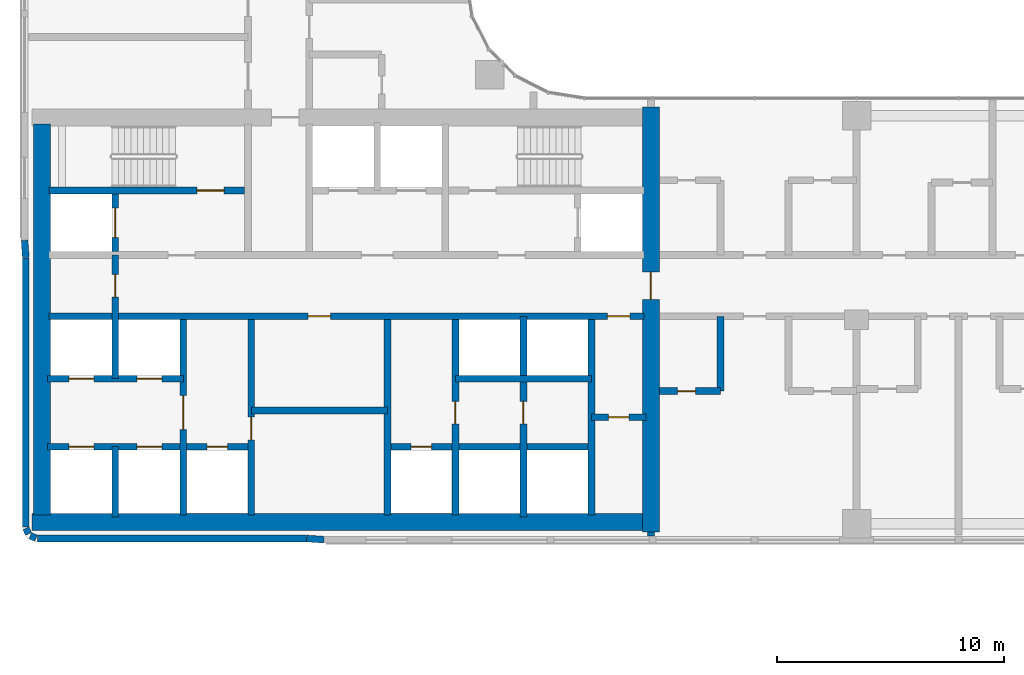
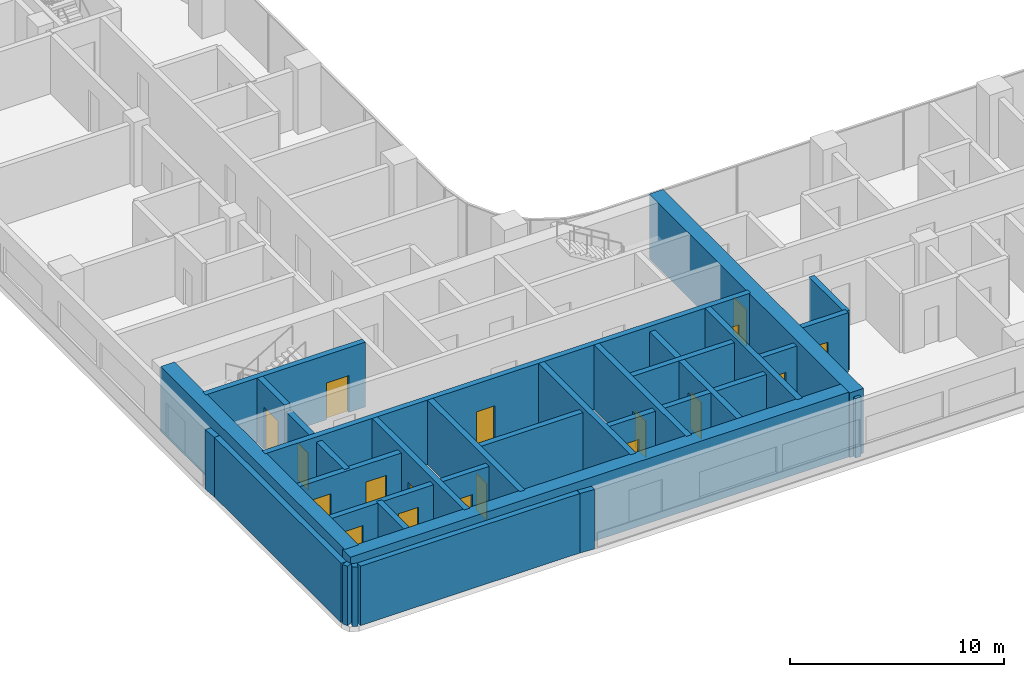
# One storey, part 17 of 35: 29 walls, 18 doors, 18 openings.
"""IFC4 building model written with IfcOpenShell, lengths in metres."""

from ifc_helpers import new_model, si_unit, direction, frame, frame_2d, origin, place, context, subcontext, project, spatial, rectangle, extrude, material, layer, layer_set, type_object, element, fill, save


model = new_model("IFC4")

# Units and contexts
model_context = context("Model", 3, precision=1e-05, world=origin(), true_north=direction((0.0, 1.0)))
body_context = subcontext(model_context, "Body", "Model", "MODEL_VIEW")
ifc_project = project(units=[si_unit("LENGTHUNIT", "METRE"), si_unit("AREAUNIT", "SQUARE_METRE"), si_unit("VOLUMEUNIT", "CUBIC_METRE"), si_unit("PLANEANGLEUNIT", "RADIAN"), si_unit("MASSUNIT", "GRAM", prefix="KILO")], contexts=[model_context])

# Site, building, storey
site_placement = place(None, origin())
site = spatial("IfcSite", under=ifc_project, at=site_placement, CompositionType="ELEMENT")
building_placement = place(site_placement, origin())
building = spatial("IfcBuilding", under=site, at=building_placement, Name="Ogive Portal Towers", CompositionType="ELEMENT")
storey_placement = place(building_placement, frame((0.0, 0.0, 94.5)))
storey = spatial("IfcBuildingStorey", under=building, at=storey_placement, Name="L22", CompositionType="ELEMENT", Elevation=94.5)

# Wall, opening, door
ifc_material_1 = material(Name="Concrete C60/75", Category="concrete")
ifc_layer_1 = layer(ifc_material_1, 0.300048828125)
ifc_layer_set_1 = layer_set([ifc_layer_1], Name="CORE WALL 300 C60")
wall_type_1 = type_object("IfcWallType", Name="CORE WALL 300 C60", PredefinedType="SHEAR", material=ifc_layer_set_1)
wall_1_placement = place(storey_placement, frame((37.800048828125, 21.875, 0.0), z_axis=(0.0, 0.0, 1.0), x_axis=(0.0, 1.0, 0.0)))
wall_1 = element("IfcWall", 1, at=wall_1_placement, inside=storey, type_object=wall_type_1, Name="Core wall X1 L22", PredefinedType="SHEAR", context=body_context, shape_type="SweptSolid", body=[
    extrude(rectangle(XDim=8.625, YDim=0.300048828125, at=frame_2d((4.3125, 0.0))), origin(), (0.0, 0.0, 1.0), 3.699951171875),
])
opening_1_placement = place(wall_1_placement, frame((3.77490234375, 0.0, 0.0)))
opening_1 = element("IfcOpeningElement", 2, at=opening_1_placement, cuts=wall_1, Name="Opening D07-001", PredefinedType="OPENING", context=body_context, shape_type="SweptSolid", body=[
    extrude(rectangle(XDim=1.5, YDim=2.10009765625, at=frame_2d((0.75, 1.050048828125))), frame((0.0, 0.16015625, 0.0), z_axis=(0.0, -1.0, 0.0), x_axis=(1.0, 0.0, 0.0)), (0.0, 0.0, 1.0), 0.320068359375),
])
ifc_material_2 = material(Name="Steel fire door", Category="steel")
door_type_1 = type_object("IfcDoorType", Name="DT-SWING-1500x2100-FD90S", OperationType="SINGLE_SWING_LEFT", PredefinedType="DOOR", material=ifc_material_2)
door_1_placement = place(opening_1_placement, origin())
door_1 = element("IfcDoor", 3, at=door_1_placement, inside=storey, type_object=door_type_1, Name="Door D07-001", OperationType="SINGLE_SWING_LEFT", OverallHeight=2.10009765625, OverallWidth=1.5, PredefinedType="DOOR", context=body_context, shape_type="SweptSolid", body=[
    extrude(rectangle(XDim=1.5, YDim=2.10009765625, at=frame_2d((0.75, 1.050048828125))), frame((0.0, 0.02490234375, 0.0), z_axis=(0.0, -1.0, 0.0), x_axis=(1.0, 0.0, 0.0)), (0.0, 0.0, 1.0), 0.050048828125),
])
fill(opening_1, door_1)

wall_2_placement = place(storey_placement, frame((40.800048828125, 21.875, 0.0), z_axis=(0.0, 0.0, 1.0), x_axis=(0.0, 1.0, 0.0)))
wall_2 = element("IfcWall", 4, at=wall_2_placement, inside=storey, type_object=wall_type_1, Name="Core wall X2 L22", PredefinedType="SHEAR", context=body_context, shape_type="SweptSolid", body=[
    extrude(rectangle(XDim=8.625, YDim=0.300048828125, at=frame_2d((4.3125, 0.0))), origin(), (0.0, 0.0, 1.0), 3.699951171875),
])
opening_2_placement = place(wall_2_placement, frame((3.324951171875, 0.0, 0.0)))
opening_2 = element("IfcOpeningElement", 5, at=opening_2_placement, cuts=wall_2, Name="Opening D07-022", PredefinedType="OPENING", context=body_context, shape_type="SweptSolid", body=[
    extrude(rectangle(XDim=1.0, YDim=2.10009765625, at=frame_2d((0.5, 1.050048828125))), frame((0.0, 0.16015625, 0.0), z_axis=(0.0, -1.0, 0.0), x_axis=(1.0, 0.0, 0.0)), (0.0, 0.0, 1.0), 0.320068359375),
])
door_type_2 = type_object("IfcDoorType", Name="DT-SWING-1000x2100-FD90S", OperationType="SINGLE_SWING_LEFT", PredefinedType="DOOR", material=ifc_material_2)
door_2_placement = place(opening_2_placement, origin())
door_2 = element("IfcDoor", 6, at=door_2_placement, inside=storey, type_object=door_type_2, Name="Door D07-022", OperationType="SINGLE_SWING_RIGHT", OverallHeight=2.10009765625, OverallWidth=1.0, PredefinedType="DOOR", context=body_context, shape_type="SweptSolid", body=[
    extrude(rectangle(XDim=1.0, YDim=2.10009765625, at=frame_2d((0.5, 1.050048828125))), frame((0.0, 0.02490234375, 0.0), z_axis=(0.0, -1.0, 0.0), x_axis=(1.0, 0.0, 0.0)), (0.0, 0.0, 1.0), 0.050048828125),
])
fill(opening_2, door_2)

# Wall
wall_3_placement = place(storey_placement, frame((46.800048828125, 21.875, 0.0), z_axis=(0.0, 0.0, 1.0), x_axis=(0.0, 1.0, 0.0)))
element("IfcWall", 7, at=wall_3_placement, inside=storey, type_object=wall_type_1, Name="Core wall X3 L22", PredefinedType="SHEAR", context=body_context, shape_type="SweptSolid", body=[
    extrude(rectangle(XDim=8.625, YDim=0.300048828125, at=frame_2d((4.3125, 0.0))), origin(), (0.0, 0.0, 1.0), 3.699951171875),
])

# Wall, opening, door
wall_4_placement = place(storey_placement, frame((49.800048828125, 21.875, 0.0), z_axis=(0.0, 0.0, 1.0), x_axis=(0.0, 1.0, 0.0)))
wall_4 = element("IfcWall", 8, at=wall_4_placement, inside=storey, type_object=wall_type_1, Name="Core wall X4 L22", PredefinedType="SHEAR", context=body_context, shape_type="SweptSolid", body=[
    extrude(rectangle(XDim=8.625, YDim=0.300048828125, at=frame_2d((4.3125, 0.0))), origin(), (0.0, 0.0, 1.0), 3.699951171875),
])
opening_3_placement = place(wall_4_placement, frame((4.02490234375, 0.0, 0.0)))
opening_3 = element("IfcOpeningElement", 9, at=opening_3_placement, cuts=wall_4, Name="Opening D07-023", PredefinedType="OPENING", context=body_context, shape_type="SweptSolid", body=[
    extrude(rectangle(XDim=1.0, YDim=2.10009765625, at=frame_2d((0.5, 1.050048828125))), frame((0.0, 0.16015625, 0.0), z_axis=(0.0, -1.0, 0.0), x_axis=(1.0, 0.0, 0.0)), (0.0, 0.0, 1.0), 0.320068359375),
])
door_3_placement = place(opening_3_placement, origin())
door_3 = element("IfcDoor", 10, at=door_3_placement, inside=storey, type_object=door_type_2, Name="Door D07-023", OperationType="SINGLE_SWING_LEFT", OverallHeight=2.10009765625, OverallWidth=1.0, PredefinedType="DOOR", context=body_context, shape_type="SweptSolid", body=[
    extrude(rectangle(XDim=1.0, YDim=2.10009765625, at=frame_2d((0.5, 1.050048828125))), frame((0.0, 0.02490234375, 0.0), z_axis=(0.0, -1.0, 0.0), x_axis=(1.0, 0.0, 0.0)), (0.0, 0.0, 1.0), 0.050048828125),
])
fill(opening_3, door_3)

# Wall
wall_5_placement = place(storey_placement, frame((55.800048828125, 21.875, 0.0), z_axis=(0.0, 0.0, 1.0), x_axis=(0.0, 1.0, 0.0)))
element("IfcWall", 11, at=wall_5_placement, inside=storey, type_object=wall_type_1, Name="Core wall X5 L22", PredefinedType="SHEAR", context=body_context, shape_type="SweptSolid", body=[
    extrude(rectangle(XDim=8.625, YDim=0.300048828125, at=frame_2d((4.3125, 0.0))), origin(), (0.0, 0.0, 1.0), 3.699951171875),
])

# Wall, openings, doors
wall_6_placement = place(storey_placement, frame((31.875, 30.64990234375, 0.0), z_axis=(0.0, 0.0, 1.0), x_axis=(1.0, 0.0, 0.0)))
wall_6 = element("IfcWall", 12, at=wall_6_placement, inside=storey, type_object=wall_type_1, Name="Core wall Y1 L22", PredefinedType="SHEAR", context=body_context, shape_type="SweptSolid", body=[
    extrude(rectangle(XDim=26.25, YDim=0.300048828125, at=frame_2d((13.125, 0.0))), origin(), (0.0, 0.0, 1.0), 3.699951171875),
])
opening_4_placement = place(wall_6_placement, frame((24.625, 0.0, 0.0)))
opening_4 = element("IfcOpeningElement", 13, at=opening_4_placement, cuts=wall_6, Name="Opening D07-009", PredefinedType="OPENING", context=body_context, shape_type="SweptSolid", body=[
    extrude(rectangle(XDim=1.0, YDim=2.10009765625, at=frame_2d((0.5, 1.050048828125))), frame((0.0, 0.16015625, 0.0), z_axis=(0.0, -1.0, 0.0), x_axis=(1.0, 0.0, 0.0)), (0.0, 0.0, 1.0), 0.320068359375),
])
opening_5_placement = place(wall_6_placement, frame((11.425048828125, 0.0, 0.0)))
opening_5 = element("IfcOpeningElement", 14, at=opening_5_placement, cuts=wall_6, Name="Opening D07-021", PredefinedType="OPENING", context=body_context, shape_type="SweptSolid", body=[
    extrude(rectangle(XDim=1.0, YDim=2.10009765625, at=frame_2d((0.5, 1.050048828125))), frame((0.0, 0.16015625, 0.0), z_axis=(0.0, -1.0, 0.0), x_axis=(1.0, 0.0, 0.0)), (0.0, 0.0, 1.0), 0.320068359375),
])
door_4_placement = place(opening_4_placement, origin())
door_4 = element("IfcDoor", 15, at=door_4_placement, inside=storey, type_object=door_type_2, Name="Door D07-009", OperationType="SINGLE_SWING_LEFT", OverallHeight=2.10009765625, OverallWidth=1.0, PredefinedType="DOOR", context=body_context, shape_type="SweptSolid", body=[
    extrude(rectangle(XDim=1.0, YDim=2.10009765625, at=frame_2d((0.5, 1.050048828125))), frame((0.0, 0.02490234375, 0.0), z_axis=(0.0, -1.0, 0.0), x_axis=(1.0, 0.0, 0.0)), (0.0, 0.0, 1.0), 0.050048828125),
])
fill(opening_4, door_4)
door_5_placement = place(opening_5_placement, origin())
door_5 = element("IfcDoor", 16, at=door_5_placement, inside=storey, type_object=door_type_2, Name="Door D07-021", OperationType="SINGLE_SWING_LEFT", OverallHeight=2.10009765625, OverallWidth=1.0, PredefinedType="DOOR", context=body_context, shape_type="SweptSolid", body=[
    extrude(rectangle(XDim=1.0, YDim=2.10009765625, at=frame_2d((0.5, 1.050048828125))), frame((0.0, 0.02490234375, 0.0), z_axis=(0.0, -1.0, 0.0), x_axis=(1.0, 0.0, 0.0)), (0.0, 0.0, 1.0), 0.050048828125),
])
fill(opening_5, door_5)

# Wall, opening, door
wall_7_placement = place(storey_placement, frame((31.875, 36.199951171875, 0.0), z_axis=(0.0, 0.0, 1.0), x_axis=(1.0, 0.0, 0.0)))
wall_7 = element("IfcWall", 17, at=wall_7_placement, inside=storey, type_object=wall_type_1, Name="Core wall Y3a L22", PredefinedType="SHEAR", context=body_context, shape_type="SweptSolid", body=[
    extrude(rectangle(XDim=8.625, YDim=0.300048828125, at=frame_2d((4.3125, 0.0))), origin(), (0.0, 0.0, 1.0), 3.699951171875),
])
opening_6_placement = place(wall_7_placement, frame((6.52490234375, 0.0, 0.0)))
opening_6 = element("IfcOpeningElement", 18, at=opening_6_placement, cuts=wall_7, Name="Opening D07-005", PredefinedType="OPENING", context=body_context, shape_type="SweptSolid", body=[
    extrude(rectangle(XDim=1.199951171875, YDim=2.10009765625, at=frame_2d((0.60009765625, 1.050048828125))), frame((0.0, 0.16015625, 0.0), z_axis=(0.0, -1.0, 0.0), x_axis=(1.0, 0.0, 0.0)), (0.0, 0.0, 1.0), 0.320068359375),
])
door_type_3 = type_object("IfcDoorType", Name="DT-SWING-1200x2100-FD90S", OperationType="SINGLE_SWING_LEFT", PredefinedType="DOOR", material=ifc_material_2)
door_6_placement = place(opening_6_placement, origin())
door_6 = element("IfcDoor", 19, at=door_6_placement, inside=storey, type_object=door_type_3, Name="Door D07-005", OperationType="SINGLE_SWING_RIGHT", OverallHeight=2.10009765625, OverallWidth=1.199951171875, PredefinedType="DOOR", context=body_context, shape_type="SweptSolid", body=[
    extrude(rectangle(XDim=1.199951171875, YDim=2.10009765625, at=frame_2d((0.60009765625, 1.050048828125))), frame((0.0, 0.02490234375, 0.0), z_axis=(0.0, -1.0, 0.0), x_axis=(1.0, 0.0, 0.0)), (0.0, 0.0, 1.0), 0.050048828125),
])
fill(opening_6, door_6)

wall_8_placement = place(storey_placement, frame((34.800048828125, 33.5, 0.0), z_axis=(0.0, 0.0, 1.0), x_axis=(0.0, 1.0, 0.0)))
wall_8 = element("IfcWall", 20, at=wall_8_placement, inside=storey, type_object=wall_type_1, Name="Core wall X8 L22", PredefinedType="SHEAR", context=body_context, shape_type="SweptSolid", body=[
    extrude(rectangle(XDim=2.550048828125, YDim=0.300048828125, at=frame_2d((1.27490234375, 0.0))), origin(), (0.0, 0.0, 1.0), 3.699951171875),
])
opening_7_placement = place(wall_8_placement, frame((0.625, 0.0, 0.0)))
opening_7 = element("IfcOpeningElement", 21, at=opening_7_placement, cuts=wall_8, Name="Opening D07-019", PredefinedType="OPENING", context=body_context, shape_type="SweptSolid", body=[
    extrude(rectangle(XDim=1.300048828125, YDim=2.39990234375, at=frame_2d((0.64990234375, 1.199951171875))), frame((0.0, 0.16015625, 0.0), z_axis=(0.0, -1.0, 0.0), x_axis=(1.0, 0.0, 0.0)), (0.0, 0.0, 1.0), 0.320068359375),
])
ifc_material_3 = material(Name="Stainless steel", Category="steel")
door_type_4 = type_object("IfcDoorType", Name="DT-LD-1300x2400", OperationType="SLIDING_TO_LEFT", PredefinedType="DOOR", material=ifc_material_3)
door_7_placement = place(opening_7_placement, origin())
door_7 = element("IfcDoor", 22, at=door_7_placement, inside=storey, type_object=door_type_4, Name="Door D07-019", OperationType="SLIDING_TO_LEFT", OverallHeight=2.39990234375, OverallWidth=1.300048828125, PredefinedType="DOOR", context=body_context, shape_type="SweptSolid", body=[
    extrude(rectangle(XDim=1.300048828125, YDim=2.39990234375, at=frame_2d((0.64990234375, 1.199951171875))), frame((0.0, 0.02490234375, 0.0), z_axis=(0.0, -1.0, 0.0), x_axis=(1.0, 0.0, 0.0)), (0.0, 0.0, 1.0), 0.050048828125),
])
fill(opening_7, door_7)

# Walls
ifc_layer_2 = layer(ifc_material_1, 0.75)
ifc_layer_set_2 = layer_set([ifc_layer_2], Name="CORE WALL 750 C60")
wall_type_2 = type_object("IfcWallType", Name="CORE WALL 750 C60", PredefinedType="SHEAR", material=ifc_layer_set_2)
wall_9_placement = place(storey_placement, frame((31.574951171875, 21.875, 0.0), z_axis=(0.0, 0.0, 1.0), x_axis=(0.0, 1.0, 0.0)))
element("IfcWall", 23, at=wall_9_placement, inside=storey, type_object=wall_type_2, Name="Core wall W L22", PredefinedType="SHEAR", context=body_context, shape_type="SweptSolid", body=[
    extrude(rectangle(XDim=17.25, YDim=0.75, at=frame_2d((8.625, 0.0))), origin(), (0.0, 0.0, 1.0), 3.699951171875),
])
wall_10_placement = place(storey_placement, frame((31.125, 21.574951171875, 0.0), z_axis=(0.0, 0.0, 1.0), x_axis=(1.0, 0.0, 0.0)))
element("IfcWall", 24, at=wall_10_placement, inside=storey, type_object=wall_type_2, Name="Core wall S L22", PredefinedType="SHEAR", context=body_context, shape_type="SweptSolid", body=[
    extrude(rectangle(XDim=27.0, YDim=0.75, at=frame_2d((13.5, 0.0))), origin(), (0.0, 0.0, 1.0), 3.699951171875),
])

# Wall, opening, door
wall_11_placement = place(storey_placement, frame((58.425048828125, 21.125, 0.0), z_axis=(0.0, 0.0, 1.0), x_axis=(0.0, 1.0, 0.0)))
wall_11 = element("IfcWall", 25, at=wall_11_placement, inside=storey, type_object=wall_type_2, Name="Core wall E L22", PredefinedType="SHEAR", context=body_context, shape_type="SweptSolid", body=[
    extrude(rectangle(XDim=18.75, YDim=0.75, at=frame_2d((9.375, 0.0))), origin(), (0.0, 0.0, 1.0), 3.699951171875),
])
opening_8_placement = place(wall_11_placement, frame((10.27490234375, 0.0, 0.0)))
opening_8 = element("IfcOpeningElement", 26, at=opening_8_placement, cuts=wall_11, Name="Opening D07-011", PredefinedType="OPENING", context=body_context, shape_type="SweptSolid", body=[
    extrude(rectangle(XDim=1.199951171875, YDim=2.10009765625, at=frame_2d((0.60009765625, 1.050048828125))), frame((0.0, 0.385009765625, 0.0), z_axis=(0.0, -1.0, 0.0), x_axis=(1.0, 0.0, 0.0)), (0.0, 0.0, 1.0), 0.77001953125),
])
door_8_placement = place(opening_8_placement, origin())
door_8 = element("IfcDoor", 27, at=door_8_placement, inside=storey, type_object=door_type_3, Name="Door D07-011", OperationType="SINGLE_SWING_LEFT", OverallHeight=2.10009765625, OverallWidth=1.199951171875, PredefinedType="DOOR", context=body_context, shape_type="SweptSolid", body=[
    extrude(rectangle(XDim=1.199951171875, YDim=2.10009765625, at=frame_2d((0.60009765625, 1.050048828125))), frame((0.0, 0.02490234375, 0.0), z_axis=(0.0, -1.0, 0.0), x_axis=(1.0, 0.0, 0.0)), (0.0, 0.0, 1.0), 0.050048828125),
])
fill(opening_8, door_8)

# Walls
ifc_material_4 = material(Name="Limestone cladding on lightweight block wall", Category="masonry")
ifc_layer_3 = layer(ifc_material_4, 0.300048828125)
ifc_layer_set_3 = layer_set([ifc_layer_3], Name="EXTERNAL WALL 300 STONE")
wall_type_3 = type_object("IfcWallType", Name="EXTERNAL WALL 300 STONE", PredefinedType="SOLIDWALL", material=ifc_layer_set_3)
wall_12_placement = place(storey_placement, frame((30.85009765625, 33.23095703125, 0.0), z_axis=(0.0, 0.0, 1.0), x_axis=(0.0, -1.0, 0.0)))
element("IfcWall", 28, at=wall_12_placement, inside=storey, type_object=wall_type_3, Name="A:L22:f00:r0:wall", PredefinedType="SOLIDWALL", context=body_context, shape_type="SweptSolid", body=[
    extrude(rectangle(XDim=11.871337890625, YDim=0.300048828125, at=frame_2d((5.935546875, 0.0))), origin(), (0.0, 0.0, 1.0), 3.39990234375),
])
for number, where, z_axis, x_axis, name in (
    (29, (30.861328125, 21.30224609375, 0.0), (0.0, 0.0, 1.0), (0.38297812142, -0.923757413239, 0.0), "A:L22:f01:r0:wall"),
    (30, (31.0478515625, 20.966796875, 0.0), (0.0, 0.0, 1.0), (0.923757413239, -0.38297812142, 0.0), "A:L22:f02:r0:wall"),
):
    element("IfcWall", number, at=place(storey_placement, frame(where, z_axis=z_axis, x_axis=x_axis)), inside=storey, type_object=wall_type_3, Name=name, PredefinedType="SOLIDWALL", context=body_context, shape_type="SweptSolid", body=[
        extrude(rectangle(XDim=0.275390625, YDim=0.300048828125, at=frame_2d((0.1376953125, 0.0))), origin(), (0.0, 0.0, 1.0), 3.39990234375),
    ])
wall_13_placement = place(storey_placement, frame((31.359619140625, 20.85009765625, 0.0), z_axis=(0.0, 0.0, 1.0), x_axis=(1.0, 0.0, 0.0)))
element("IfcWall", 31, at=wall_13_placement, inside=storey, type_object=wall_type_3, Name="A:L22:f03:r0:wall", PredefinedType="SOLIDWALL", context=body_context, shape_type="SweptSolid", body=[
    extrude(rectangle(XDim=11.871337890625, YDim=0.300048828125, at=frame_2d((5.935546875, 0.0))), origin(), (0.0, 0.0, 1.0), 3.39990234375),
])
for number, where, z_axis, x_axis, name in (
    (32, (43.24169921875, 20.849609375, 0.0), (0.0, 0.0, 1.0), (0.997455438499, -0.07129269393, 0.0), "A:L22:f04:r0:wall"),
    (33, (30.79541015625, 34.0, 0.0), (0.0, 0.0, 1.0), (0.07129269393, -0.997455438499, 0.0), "A:L22:f25:r0:wall"),
):
    element("IfcWall", number, at=place(storey_placement, frame(where, z_axis=z_axis, x_axis=x_axis)), inside=storey, type_object=wall_type_3, Name=name, PredefinedType="SOLIDWALL", context=body_context, shape_type="SweptSolid", body=[
        extrude(rectangle(XDim=0.76025390625, YDim=0.300048828125, at=frame_2d((0.380126953125, 0.0))), origin(), (0.0, 0.0, 1.0), 3.39990234375),
    ])

# Wall, opening, door
ifc_material_5 = material(Name="Gypsum board partition on steel studs", Category="steel")
ifc_layer_4 = layer(ifc_material_5, 0.300048828125)
ifc_layer_set_4 = layer_set([ifc_layer_4], Name="WT-PART-300")
wall_type_4 = type_object("IfcWallType", Name="WT-PART-300", PredefinedType="PARTITIONING", material=ifc_layer_set_4)
wall_14_placement = place(storey_placement, frame((55.800048828125, 26.199951171875, 0.0), z_axis=(0.0, 0.0, 1.0), x_axis=(1.0, 0.0, 0.0)))
wall_14 = element("IfcWall", 34, at=wall_14_placement, inside=storey, type_object=wall_type_4, Name="Wall pw:003:L22", PredefinedType="PARTITIONING", context=body_context, shape_type="SweptSolid", body=[
    extrude(rectangle(XDim=2.39990234375, YDim=0.300048828125, at=frame_2d((1.199951171875, 0.0))), origin(), (0.0, 0.0, 1.0), 3.39990234375),
])
opening_9_placement = place(wall_14_placement, frame((0.75, 0.0, 0.0)))
opening_9 = element("IfcOpeningElement", 35, at=opening_9_placement, cuts=wall_14, Name="Opening D07-010", PredefinedType="OPENING", context=body_context, shape_type="SweptSolid", body=[
    extrude(rectangle(XDim=0.89990234375, YDim=2.10009765625, at=frame_2d((0.449951171875, 1.050048828125))), frame((0.0, 0.16015625, 0.0), z_axis=(0.0, -1.0, 0.0), x_axis=(1.0, 0.0, 0.0)), (0.0, 0.0, 1.0), 0.320068359375),
])
door_type_5 = type_object("IfcDoorType", Name="DT-SWING-900x2100-FD60S", OperationType="SINGLE_SWING_LEFT", PredefinedType="DOOR", material=ifc_material_2)
door_9_placement = place(opening_9_placement, origin())
door_9 = element("IfcDoor", 36, at=door_9_placement, inside=storey, type_object=door_type_5, Name="Door D07-010", OperationType="SINGLE_SWING_RIGHT", OverallHeight=2.10009765625, OverallWidth=0.89990234375, PredefinedType="DOOR", context=body_context, shape_type="SweptSolid", body=[
    extrude(rectangle(XDim=0.89990234375, YDim=2.10009765625, at=frame_2d((0.449951171875, 1.050048828125))), frame((0.0, 0.02490234375, 0.0), z_axis=(0.0, -1.0, 0.0), x_axis=(1.0, 0.0, 0.0)), (0.0, 0.0, 1.0), 0.050048828125),
])
fill(opening_9, door_9)

# Walls
wall_15_placement = place(storey_placement, frame((40.800048828125, 26.5, 0.0), z_axis=(0.0, 0.0, 1.0), x_axis=(1.0, 0.0, 0.0)))
element("IfcWall", 37, at=wall_15_placement, inside=storey, type_object=wall_type_4, Name="Wall pw:004:L22", PredefinedType="PARTITIONING", context=body_context, shape_type="SweptSolid", body=[
    extrude(rectangle(XDim=6.0, YDim=0.300048828125, at=frame_2d((3.0, 0.0))), origin(), (0.0, 0.0, 1.0), 3.39990234375),
])
ifc_layer_5 = layer(ifc_material_5, 0.300048828125)
ifc_layer_set_5 = layer_set([ifc_layer_5], Name="WT-PART-300-EI 120")
wall_type_5 = type_object("IfcWallType", Name="WT-PART-300-EI 120", PredefinedType="PARTITIONING", material=ifc_layer_set_5)
wall_16_placement = place(storey_placement, frame((58.425048828125, 21.125, 0.0), z_axis=(0.0, 0.0, 1.0), x_axis=(0.0, -1.0, 0.0)))
element("IfcWall", 38, at=wall_16_placement, inside=storey, type_object=wall_type_5, Name="Wall L22:wc01", PredefinedType="PARTITIONING", context=body_context, shape_type="SweptSolid", body=[
    extrude(rectangle(XDim=0.169921875, YDim=0.300048828125, at=frame_2d((0.0849609375, 0.0))), origin(), (0.0, 0.0, 1.0), 3.39990234375),
])

# Wall, opening, door
ifc_layer_6 = layer(ifc_material_5, 0.300048828125)
ifc_layer_set_6 = layer_set([ifc_layer_6], Name="WT-PART-300-EI 60")
wall_type_6 = type_object("IfcWallType", Name="WT-PART-300-EI 60", PredefinedType="PARTITIONING", material=ifc_layer_set_6)
wall_17_placement = place(storey_placement, frame((58.800048828125, 27.35009765625, 0.0), z_axis=(0.0, 0.0, 1.0), x_axis=(1.0, 0.0, 0.0)))
wall_17 = element("IfcWall", 39, at=wall_17_placement, inside=storey, type_object=wall_type_6, Name="Wall L22:w002", PredefinedType="PARTITIONING", context=body_context, shape_type="SweptSolid", body=[
    extrude(rectangle(XDim=2.699951171875, YDim=0.300048828125, at=frame_2d((1.35009765625, 0.0))), origin(), (0.0, 0.0, 1.0), 3.39990234375),
])
opening_10_placement = place(wall_17_placement, frame((0.800048828125, 0.0, 0.0)))
opening_10 = element("IfcOpeningElement", 40, at=opening_10_placement, cuts=wall_17, Name="Opening D07-029", PredefinedType="OPENING", context=body_context, shape_type="SweptSolid", body=[
    extrude(rectangle(XDim=0.800048828125, YDim=2.10009765625, at=frame_2d((0.39990234375, 1.050048828125))), frame((0.0, 0.16015625, 0.0), z_axis=(0.0, -1.0, 0.0), x_axis=(1.0, 0.0, 0.0)), (0.0, 0.0, 1.0), 0.320068359375),
])
door_type_6 = type_object("IfcDoorType", Name="DT-BATH-800x2100-FD60S", OperationType="SINGLE_SWING_LEFT", PredefinedType="DOOR", material=ifc_material_2)
door_10_placement = place(opening_10_placement, origin())
door_10 = element("IfcDoor", 41, at=door_10_placement, inside=storey, type_object=door_type_6, Name="Door D07-029", OperationType="SINGLE_SWING_LEFT", OverallHeight=2.10009765625, OverallWidth=0.800048828125, PredefinedType="DOOR", context=body_context, shape_type="SweptSolid", body=[
    extrude(rectangle(XDim=0.800048828125, YDim=2.10009765625, at=frame_2d((0.39990234375, 1.050048828125))), frame((0.0, 0.02490234375, 0.0), z_axis=(0.0, -1.0, 0.0), x_axis=(1.0, 0.0, 0.0)), (0.0, 0.0, 1.0), 0.050048828125),
])
fill(opening_10, door_10)

# Wall
wall_18_placement = place(storey_placement, frame((61.5, 27.35009765625, 0.0), z_axis=(0.0, 0.0, 1.0), x_axis=(0.0, 1.0, 0.0)))
element("IfcWall", 42, at=wall_18_placement, inside=storey, type_object=wall_type_6, Name="Wall L22:w044", PredefinedType="PARTITIONING", context=body_context, shape_type="SweptSolid", body=[
    extrude(rectangle(XDim=3.2998046875, YDim=0.300048828125, at=frame_2d((1.64990234375, 0.0))), origin(), (0.0, 0.0, 1.0), 3.39990234375),
])

# Wall, openings, doors
ifc_material_6 = material(Name="Concrete C40/50", Category="concrete")
ifc_layer_7 = layer(ifc_material_6, 0.300048828125)
ifc_layer_set_7 = layer_set([ifc_layer_7], Name="WT-SHAFT-300")
wall_type_7 = type_object("IfcWallType", Name="WT-SHAFT-300", PredefinedType="SOLIDWALL", material=ifc_layer_set_7)
wall_19_placement = place(storey_placement, frame((31.800048828125, 24.89990234375, 0.0), z_axis=(0.0, 0.0, 1.0), x_axis=(1.0, 0.0, 0.0)))
wall_19 = element("IfcWall", 43, at=wall_19_placement, inside=storey, type_object=wall_type_7, Name="Wall pw:001:L22", PredefinedType="SOLIDWALL", context=body_context, shape_type="SweptSolid", body=[
    extrude(rectangle(XDim=9.0, YDim=0.300048828125, at=frame_2d((4.5, 0.0))), origin(), (0.0, 0.0, 1.0), 3.39990234375),
])
opening_11_placement = place(wall_19_placement, frame((7.050048828125, 0.0, 0.0)))
opening_11 = element("IfcOpeningElement", 44, at=opening_11_placement, cuts=wall_19, Name="Opening D07-007", PredefinedType="OPENING", context=body_context, shape_type="SweptSolid", body=[
    extrude(rectangle(XDim=0.89990234375, YDim=2.10009765625, at=frame_2d((0.449951171875, 1.050048828125))), frame((0.0, 0.16015625, 0.0), z_axis=(0.0, -1.0, 0.0), x_axis=(1.0, 0.0, 0.0)), (0.0, 0.0, 1.0), 0.320068359375),
])
opening_12_placement = place(wall_19_placement, frame((0.949951171875, 0.0, 0.0)))
opening_12 = element("IfcOpeningElement", 45, at=opening_12_placement, cuts=wall_19, Name="Opening D07-013", PredefinedType="OPENING", context=body_context, shape_type="SweptSolid", body=[
    extrude(rectangle(XDim=1.10009765625, YDim=2.39990234375, at=frame_2d((0.550048828125, 1.199951171875))), frame((0.0, 0.16015625, 0.0), z_axis=(0.0, -1.0, 0.0), x_axis=(1.0, 0.0, 0.0)), (0.0, 0.0, 1.0), 0.320068359375),
])
opening_13_placement = place(wall_19_placement, frame((3.949951171875, 0.0, 0.0)))
opening_13 = element("IfcOpeningElement", 46, at=opening_13_placement, cuts=wall_19, Name="Opening D07-014", PredefinedType="OPENING", context=body_context, shape_type="SweptSolid", body=[
    extrude(rectangle(XDim=1.10009765625, YDim=2.39990234375, at=frame_2d((0.550048828125, 1.199951171875))), frame((0.0, 0.16015625, 0.0), z_axis=(0.0, -1.0, 0.0), x_axis=(1.0, 0.0, 0.0)), (0.0, 0.0, 1.0), 0.320068359375),
])
door_type_7 = type_object("IfcDoorType", Name="DT-LD-1100x2400", OperationType="SLIDING_TO_LEFT", PredefinedType="DOOR", material=ifc_material_3)
door_11_placement = place(opening_12_placement, origin())
door_11 = element("IfcDoor", 47, at=door_11_placement, inside=storey, type_object=door_type_7, Name="Door D07-013", OperationType="SLIDING_TO_LEFT", OverallHeight=2.39990234375, OverallWidth=1.10009765625, PredefinedType="DOOR", context=body_context, shape_type="SweptSolid", body=[
    extrude(rectangle(XDim=1.10009765625, YDim=2.39990234375, at=frame_2d((0.550048828125, 1.199951171875))), frame((0.0, 0.02490234375, 0.0), z_axis=(0.0, -1.0, 0.0), x_axis=(1.0, 0.0, 0.0)), (0.0, 0.0, 1.0), 0.050048828125),
])
fill(opening_12, door_11)
door_12_placement = place(opening_13_placement, origin())
door_12 = element("IfcDoor", 48, at=door_12_placement, inside=storey, type_object=door_type_7, Name="Door D07-014", OperationType="SLIDING_TO_LEFT", OverallHeight=2.39990234375, OverallWidth=1.10009765625, PredefinedType="DOOR", context=body_context, shape_type="SweptSolid", body=[
    extrude(rectangle(XDim=1.10009765625, YDim=2.39990234375, at=frame_2d((0.550048828125, 1.199951171875))), frame((0.0, 0.02490234375, 0.0), z_axis=(0.0, -1.0, 0.0), x_axis=(1.0, 0.0, 0.0)), (0.0, 0.0, 1.0), 0.050048828125),
])
fill(opening_13, door_12)
door_type_8 = type_object("IfcDoorType", Name="DT-SWING-900x2100-FD90S", OperationType="SINGLE_SWING_LEFT", PredefinedType="DOOR", material=ifc_material_2)
door_13_placement = place(opening_11_placement, origin())
door_13 = element("IfcDoor", 49, at=door_13_placement, inside=storey, type_object=door_type_8, Name="Riser access door D07-007", OperationType="SINGLE_SWING_LEFT", OverallHeight=2.10009765625, OverallWidth=0.89990234375, PredefinedType="DOOR", context=body_context, shape_type="SweptSolid", body=[
    extrude(rectangle(XDim=0.89990234375, YDim=2.10009765625, at=frame_2d((0.449951171875, 1.050048828125))), frame((0.0, 0.02490234375, 0.0), z_axis=(0.0, -1.0, 0.0), x_axis=(1.0, 0.0, 0.0)), (0.0, 0.0, 1.0), 0.050048828125),
])
fill(opening_11, door_13)

# Wall, opening, door
wall_20_placement = place(storey_placement, frame((46.800048828125, 24.89990234375, 0.0), z_axis=(0.0, 0.0, 1.0), x_axis=(1.0, 0.0, 0.0)))
wall_20 = element("IfcWall", 50, at=wall_20_placement, inside=storey, type_object=wall_type_7, Name="Wall pw:002:L22", PredefinedType="SOLIDWALL", context=body_context, shape_type="SweptSolid", body=[
    extrude(rectangle(XDim=9.0, YDim=0.300048828125, at=frame_2d((4.5, 0.0))), origin(), (0.0, 0.0, 1.0), 3.39990234375),
])
opening_14_placement = place(wall_20_placement, frame((1.050048828125, 0.0, 0.0)))
opening_14 = element("IfcOpeningElement", 51, at=opening_14_placement, cuts=wall_20, Name="Opening D07-008", PredefinedType="OPENING", context=body_context, shape_type="SweptSolid", body=[
    extrude(rectangle(XDim=0.89990234375, YDim=2.10009765625, at=frame_2d((0.449951171875, 1.050048828125))), frame((0.0, 0.16015625, 0.0), z_axis=(0.0, -1.0, 0.0), x_axis=(1.0, 0.0, 0.0)), (0.0, 0.0, 1.0), 0.320068359375),
])
door_14_placement = place(opening_14_placement, origin())
door_14 = element("IfcDoor", 52, at=door_14_placement, inside=storey, type_object=door_type_8, Name="Riser access door D07-008", OperationType="SINGLE_SWING_RIGHT", OverallHeight=2.10009765625, OverallWidth=0.89990234375, PredefinedType="DOOR", context=body_context, shape_type="SweptSolid", body=[
    extrude(rectangle(XDim=0.89990234375, YDim=2.10009765625, at=frame_2d((0.449951171875, 1.050048828125))), frame((0.0, 0.02490234375, 0.0), z_axis=(0.0, -1.0, 0.0), x_axis=(1.0, 0.0, 0.0)), (0.0, 0.0, 1.0), 0.050048828125),
])
fill(opening_14, door_14)

# Wall, openings, doors
wall_21_placement = place(storey_placement, frame((31.800048828125, 27.89990234375, 0.0), z_axis=(0.0, 0.0, 1.0), x_axis=(1.0, 0.0, 0.0)))
wall_21 = element("IfcWall", 53, at=wall_21_placement, inside=storey, type_object=wall_type_7, Name="Wall pw:005:L22", PredefinedType="SOLIDWALL", context=body_context, shape_type="SweptSolid", body=[
    extrude(rectangle(XDim=6.0, YDim=0.300048828125, at=frame_2d((3.0, 0.0))), origin(), (0.0, 0.0, 1.0), 3.39990234375),
])
opening_15_placement = place(wall_21_placement, frame((0.949951171875, 0.0, 0.0)))
opening_15 = element("IfcOpeningElement", 54, at=opening_15_placement, cuts=wall_21, Name="Opening D07-015", PredefinedType="OPENING", context=body_context, shape_type="SweptSolid", body=[
    extrude(rectangle(XDim=1.10009765625, YDim=2.39990234375, at=frame_2d((0.550048828125, 1.199951171875))), frame((0.0, 0.16015625, 0.0), z_axis=(0.0, -1.0, 0.0), x_axis=(1.0, 0.0, 0.0)), (0.0, 0.0, 1.0), 0.320068359375),
])
opening_16_placement = place(wall_21_placement, frame((3.949951171875, 0.0, 0.0)))
opening_16 = element("IfcOpeningElement", 55, at=opening_16_placement, cuts=wall_21, Name="Opening D07-016", PredefinedType="OPENING", context=body_context, shape_type="SweptSolid", body=[
    extrude(rectangle(XDim=1.10009765625, YDim=2.39990234375, at=frame_2d((0.550048828125, 1.199951171875))), frame((0.0, 0.16015625, 0.0), z_axis=(0.0, -1.0, 0.0), x_axis=(1.0, 0.0, 0.0)), (0.0, 0.0, 1.0), 0.320068359375),
])
door_15_placement = place(opening_15_placement, origin())
door_15 = element("IfcDoor", 56, at=door_15_placement, inside=storey, type_object=door_type_7, Name="Door D07-015", OperationType="SLIDING_TO_LEFT", OverallHeight=2.39990234375, OverallWidth=1.10009765625, PredefinedType="DOOR", context=body_context, shape_type="SweptSolid", body=[
    extrude(rectangle(XDim=1.10009765625, YDim=2.39990234375, at=frame_2d((0.550048828125, 1.199951171875))), frame((0.0, 0.02490234375, 0.0), z_axis=(0.0, -1.0, 0.0), x_axis=(1.0, 0.0, 0.0)), (0.0, 0.0, 1.0), 0.050048828125),
])
fill(opening_15, door_15)
door_16_placement = place(opening_16_placement, origin())
door_16 = element("IfcDoor", 57, at=door_16_placement, inside=storey, type_object=door_type_7, Name="Door D07-016", OperationType="SLIDING_TO_LEFT", OverallHeight=2.39990234375, OverallWidth=1.10009765625, PredefinedType="DOOR", context=body_context, shape_type="SweptSolid", body=[
    extrude(rectangle(XDim=1.10009765625, YDim=2.39990234375, at=frame_2d((0.550048828125, 1.199951171875))), frame((0.0, 0.02490234375, 0.0), z_axis=(0.0, -1.0, 0.0), x_axis=(1.0, 0.0, 0.0)), (0.0, 0.0, 1.0), 0.050048828125),
])
fill(opening_16, door_16)

# Walls
wall_22_placement = place(storey_placement, frame((49.800048828125, 27.89990234375, 0.0), z_axis=(0.0, 0.0, 1.0), x_axis=(1.0, 0.0, 0.0)))
element("IfcWall", 58, at=wall_22_placement, inside=storey, type_object=wall_type_7, Name="Wall pw:006:L22", PredefinedType="SOLIDWALL", context=body_context, shape_type="SweptSolid", body=[
    extrude(rectangle(XDim=6.0, YDim=0.300048828125, at=frame_2d((3.0, 0.0))), origin(), (0.0, 0.0, 1.0), 3.39990234375),
])
wall_23_placement = place(storey_placement, frame((34.800048828125, 21.800048828125, 0.0), z_axis=(0.0, 0.0, 1.0), x_axis=(0.0, 1.0, 0.0)))
element("IfcWall", 59, at=wall_23_placement, inside=storey, type_object=wall_type_7, Name="Wall pw:007:L22", PredefinedType="SOLIDWALL", context=body_context, shape_type="SweptSolid", body=[
    extrude(rectangle(XDim=3.099853515625, YDim=0.300048828125, at=frame_2d((1.5498046875, 0.0))), origin(), (0.0, 0.0, 1.0), 3.39990234375),
])

# Wall, opening, door
wall_24_placement = place(storey_placement, frame((34.800048828125, 27.89990234375, 0.0), z_axis=(0.0, 0.0, 1.0), x_axis=(0.0, 1.0, 0.0)))
wall_24 = element("IfcWall", 60, at=wall_24_placement, inside=storey, type_object=wall_type_7, Name="Wall pw:008:L22", PredefinedType="SOLIDWALL", context=body_context, shape_type="SweptSolid", body=[
    extrude(rectangle(XDim=5.4501953125, YDim=0.300048828125, at=frame_2d((2.72509765625, 0.0))), origin(), (0.0, 0.0, 1.0), 3.39990234375),
])
opening_17_placement = place(wall_24_placement, frame((3.60009765625, 0.0, 0.0)))
opening_17 = element("IfcOpeningElement", 61, at=opening_17_placement, cuts=wall_24, Name="Opening D07-025", PredefinedType="OPENING", context=body_context, shape_type="SweptSolid", body=[
    extrude(rectangle(XDim=1.0, YDim=2.10009765625, at=frame_2d((0.5, 1.050048828125))), frame((0.0, 0.16015625, 0.0), z_axis=(0.0, -1.0, 0.0), x_axis=(1.0, 0.0, 0.0)), (0.0, 0.0, 1.0), 0.320068359375),
])
door_17_placement = place(opening_17_placement, origin())
door_17 = element("IfcDoor", 62, at=door_17_placement, inside=storey, type_object=door_type_2, Name="Door D07-025", OperationType="SINGLE_SWING_LEFT", OverallHeight=2.10009765625, OverallWidth=1.0, PredefinedType="DOOR", context=body_context, shape_type="SweptSolid", body=[
    extrude(rectangle(XDim=1.0, YDim=2.10009765625, at=frame_2d((0.5, 1.050048828125))), frame((0.0, 0.02490234375, 0.0), z_axis=(0.0, -1.0, 0.0), x_axis=(1.0, 0.0, 0.0)), (0.0, 0.0, 1.0), 0.050048828125),
])
fill(opening_17, door_17)

wall_25_placement = place(storey_placement, frame((52.800048828125, 21.800048828125, 0.0), z_axis=(0.0, 0.0, 1.0), x_axis=(0.0, 1.0, 0.0)))
wall_25 = element("IfcWall", 63, at=wall_25_placement, inside=storey, type_object=wall_type_7, Name="Wall pw:010:L22", PredefinedType="SOLIDWALL", context=body_context, shape_type="SweptSolid", body=[
    extrude(rectangle(XDim=8.849853515625, YDim=0.300048828125, at=frame_2d((4.4248046875, 0.0))), origin(), (0.0, 0.0, 1.0), 3.39990234375),
])
opening_18_placement = place(wall_25_placement, frame((4.10009765625, 0.0, 0.0)))
opening_18 = element("IfcOpeningElement", 64, at=opening_18_placement, cuts=wall_25, Name="Opening D07-024", PredefinedType="OPENING", context=body_context, shape_type="SweptSolid", body=[
    extrude(rectangle(XDim=1.0, YDim=2.10009765625, at=frame_2d((0.5, 1.050048828125))), frame((0.0, 0.16015625, 0.0), z_axis=(0.0, -1.0, 0.0), x_axis=(1.0, 0.0, 0.0)), (0.0, 0.0, 1.0), 0.320068359375),
])
door_18_placement = place(opening_18_placement, origin())
door_18 = element("IfcDoor", 65, at=door_18_placement, inside=storey, type_object=door_type_2, Name="Door D07-024", OperationType="SINGLE_SWING_RIGHT", OverallHeight=2.10009765625, OverallWidth=1.0, PredefinedType="DOOR", context=body_context, shape_type="SweptSolid", body=[
    extrude(rectangle(XDim=1.0, YDim=2.10009765625, at=frame_2d((0.5, 1.050048828125))), frame((0.0, 0.02490234375, 0.0), z_axis=(0.0, -1.0, 0.0), x_axis=(1.0, 0.0, 0.0)), (0.0, 0.0, 1.0), 0.050048828125),
])
fill(opening_18, door_18)

save(model, "model.ifc")
